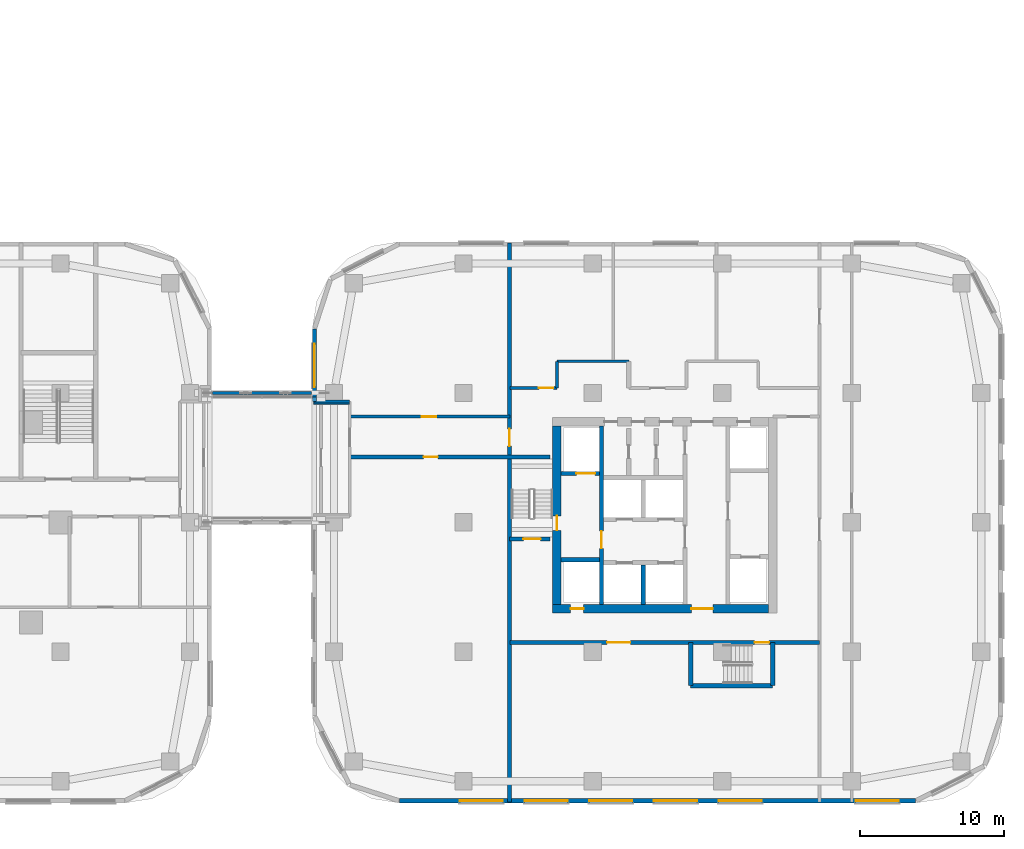
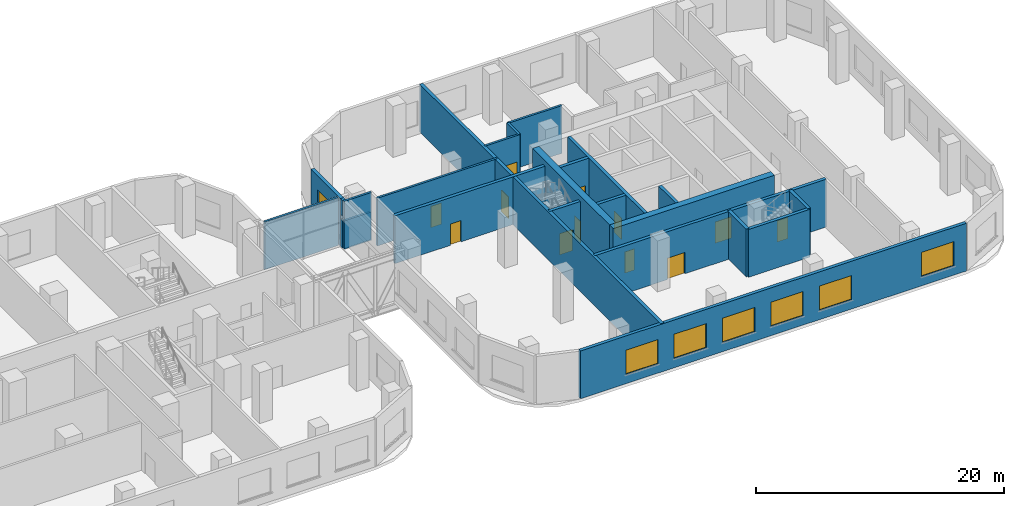
# One storey, part 12 of 35: 24 walls, 12 doors, 7 windows, 19 openings.
"""IFC4 building model written with IfcOpenShell, lengths in metres."""

from ifc_helpers import new_model, si_unit, direction, frame, frame_2d, origin, place, context, subcontext, project, spatial, rectangle, extrude, material, layer, layer_set, type_object, element, fill, save


model = new_model("IFC4")

# Units and contexts
model_context = context("Model", 3, precision=1e-05, world=origin(), true_north=direction((0.0, 1.0)))
body_context = subcontext(model_context, "Body", "Model", "MODEL_VIEW")
ifc_project = project(units=[si_unit("LENGTHUNIT", "METRE"), si_unit("AREAUNIT", "SQUARE_METRE"), si_unit("VOLUMEUNIT", "CUBIC_METRE"), si_unit("PLANEANGLEUNIT", "RADIAN"), si_unit("MASSUNIT", "GRAM", prefix="KILO")], contexts=[model_context])

# Site, building, storey
site_placement = place(None, origin())
site = spatial("IfcSite", under=ifc_project, at=site_placement, CompositionType="ELEMENT")
building_placement = place(site_placement, origin())
building = spatial("IfcBuilding", under=site, at=building_placement, Name="Ogive Portal Towers", CompositionType="ELEMENT")
storey_placement = place(building_placement, frame((0.0, 0.0, 18.5)))
storey = spatial("IfcBuildingStorey", under=building, at=storey_placement, Name="L03", CompositionType="ELEMENT", Elevation=18.5)

# Wall, opening, door
ifc_material_1 = material(Name="Concrete C60/75", Category="concrete")
ifc_layer_1 = layer(ifc_material_1, 0.300048828125)
ifc_layer_set_1 = layer_set([ifc_layer_1], Name="CORE WALL 300 C60")
wall_type_1 = type_object("IfcWallType", Name="CORE WALL 300 C60", PredefinedType="SHEAR", material=ifc_layer_set_1)
wall_1_placement = place(storey_placement, frame((132.10009765625, 24.800048828125, 0.0), z_axis=(0.0, 0.0, 1.0), x_axis=(0.0, 1.0, 0.0)))
wall_1 = element("IfcWall", 1, at=wall_1_placement, inside=storey, type_object=wall_type_1, Name="Tower B core wall BX1 L03", PredefinedType="SHEAR", context=body_context, shape_type="SweptSolid", body=[
    extrude(rectangle(XDim=12.39990234375, YDim=0.300048828125, at=frame_2d((6.199951171875, 0.0))), origin(), (0.0, 0.0, 1.0), 5.0),
])
opening_1_placement = place(wall_1_placement, frame((3.89990234375, 0.0, 0.0)))
opening_1 = element("IfcOpeningElement", 2, at=opening_1_placement, cuts=wall_1, Name="Opening P03-053", PredefinedType="OPENING", context=body_context, shape_type="SweptSolid", body=[
    extrude(rectangle(XDim=1.199951171875, YDim=2.10009765625, at=frame_2d((0.60009765625, 1.050048828125))), frame((0.0, 0.16015625, 0.0), z_axis=(0.0, -1.0, 0.0), x_axis=(1.0, 0.0, 0.0)), (0.0, 0.0, 1.0), 0.320068359375),
])
ifc_material_2 = material(Name="Steel fire door", Category="steel")
door_type_1 = type_object("IfcDoorType", Name="DT-SWING-1200x2100-FD90S", OperationType="SINGLE_SWING_LEFT", PredefinedType="DOOR", material=ifc_material_2)
door_1_placement = place(opening_1_placement, origin())
door_1 = element("IfcDoor", 3, at=door_1_placement, inside=storey, type_object=door_type_1, Name="Door P03-053", OperationType="SINGLE_SWING_LEFT", OverallHeight=2.10009765625, OverallWidth=1.199951171875, PredefinedType="DOOR", context=body_context, shape_type="SweptSolid", body=[
    extrude(rectangle(XDim=1.199951171875, YDim=2.10009765625, at=frame_2d((0.60009765625, 1.050048828125))), frame((0.0, 0.02490234375, 0.0), z_axis=(0.0, -1.0, 0.0), x_axis=(1.0, 0.0, 0.0)), (0.0, 0.0, 1.0), 0.050048828125),
])
fill(opening_1, door_1)

# Walls
wall_2_placement = place(storey_placement, frame((135.0, 24.800048828125, 0.0), z_axis=(0.0, 0.0, 1.0), x_axis=(0.0, 1.0, 0.0)))
element("IfcWall", 4, at=wall_2_placement, inside=storey, type_object=wall_type_1, Name="Tower B core wall BX4 L03", PredefinedType="SHEAR", context=body_context, shape_type="SweptSolid", body=[
    extrude(rectangle(XDim=2.75, YDim=0.300048828125, at=frame_2d((1.375, 0.0))), origin(), (0.0, 0.0, 1.0), 5.0),
])
wall_3_placement = place(storey_placement, frame((129.300048828125, 27.89990234375, 0.0), z_axis=(0.0, 0.0, 1.0), x_axis=(1.0, 0.0, 0.0)))
element("IfcWall", 5, at=wall_3_placement, inside=storey, type_object=wall_type_1, Name="Tower B core wall BY4 L03", PredefinedType="SHEAR", context=body_context, shape_type="SweptSolid", body=[
    extrude(rectangle(XDim=2.64990234375, YDim=0.300048828125, at=frame_2d((1.324951171875, 0.0))), origin(), (0.0, 0.0, 1.0), 5.0),
])

# Wall, opening, door
wall_4_placement = place(storey_placement, frame((129.300048828125, 33.89990234375, 0.0), z_axis=(0.0, 0.0, 1.0), x_axis=(1.0, 0.0, 0.0)))
wall_4 = element("IfcWall", 6, at=wall_4_placement, inside=storey, type_object=wall_type_1, Name="Tower B core wall BY5 L03", PredefinedType="SHEAR", context=body_context, shape_type="SweptSolid", body=[
    extrude(rectangle(XDim=2.64990234375, YDim=0.300048828125, at=frame_2d((1.324951171875, 0.0))), origin(), (0.0, 0.0, 1.0), 5.0),
])
opening_2_placement = place(wall_4_placement, frame((1.050048828125, 0.0, 0.0)))
opening_2 = element("IfcOpeningElement", 7, at=opening_2_placement, cuts=wall_4, Name="Opening P03-064", PredefinedType="OPENING", context=body_context, shape_type="SweptSolid", body=[
    extrude(rectangle(XDim=1.300048828125, YDim=2.39990234375, at=frame_2d((0.64990234375, 1.199951171875))), frame((0.0, 0.16015625, 0.0), z_axis=(0.0, -1.0, 0.0), x_axis=(1.0, 0.0, 0.0)), (0.0, 0.0, 1.0), 0.320068359375),
])
ifc_material_3 = material(Name="Stainless steel", Category="steel")
door_type_2 = type_object("IfcDoorType", Name="DT-LD-1300x2400", OperationType="SLIDING_TO_LEFT", PredefinedType="DOOR", material=ifc_material_3)
door_2_placement = place(opening_2_placement, origin())
door_2 = element("IfcDoor", 8, at=door_2_placement, inside=storey, type_object=door_type_2, Name="Door P03-064", OperationType="SLIDING_TO_LEFT", OverallHeight=2.39990234375, OverallWidth=1.300048828125, PredefinedType="DOOR", context=body_context, shape_type="SweptSolid", body=[
    extrude(rectangle(XDim=1.300048828125, YDim=2.39990234375, at=frame_2d((0.64990234375, 1.199951171875))), frame((0.0, 0.02490234375, 0.0), z_axis=(0.0, -1.0, 0.0), x_axis=(1.0, 0.0, 0.0)), (0.0, 0.0, 1.0), 0.050048828125),
])
fill(opening_2, door_2)

ifc_layer_2 = layer(ifc_material_1, 0.60009765625)
ifc_layer_set_2 = layer_set([ifc_layer_2], Name="CORE WALL 600 C60")
wall_type_2 = type_object("IfcWallType", Name="CORE WALL 600 C60", PredefinedType="SHEAR", material=ifc_layer_set_2)
wall_5_placement = place(storey_placement, frame((129.0, 24.800048828125, 0.0), z_axis=(0.0, 0.0, 1.0), x_axis=(0.0, 1.0, 0.0)))
wall_5 = element("IfcWall", 9, at=wall_5_placement, inside=storey, type_object=wall_type_2, Name="Tower B core wall BW L03", PredefinedType="SHEAR", context=body_context, shape_type="SweptSolid", body=[
    extrude(rectangle(XDim=12.39990234375, YDim=0.60009765625, at=frame_2d((6.199951171875, 0.0))), origin(), (0.0, 0.0, 1.0), 5.0),
])
opening_3_placement = place(wall_5_placement, frame((5.14990234375, 0.0, 0.0)))
opening_3 = element("IfcOpeningElement", 10, at=opening_3_placement, cuts=wall_5, Name="Opening P03-055", PredefinedType="OPENING", context=body_context, shape_type="SweptSolid", body=[
    extrude(rectangle(XDim=1.0, YDim=2.10009765625, at=frame_2d((0.5, 1.050048828125))), frame((0.0, 0.31005859375, 0.0), z_axis=(0.0, -1.0, 0.0), x_axis=(1.0, 0.0, 0.0)), (0.0, 0.0, 1.0), 0.6201171875),
])
door_type_3 = type_object("IfcDoorType", Name="DT-SWING-1000x2100-FD90S", OperationType="SINGLE_SWING_LEFT", PredefinedType="DOOR", material=ifc_material_2)
door_3_placement = place(opening_3_placement, origin())
door_3 = element("IfcDoor", 11, at=door_3_placement, inside=storey, type_object=door_type_3, Name="Door P03-055", OperationType="SINGLE_SWING_RIGHT", OverallHeight=2.10009765625, OverallWidth=1.0, PredefinedType="DOOR", context=body_context, shape_type="SweptSolid", body=[
    extrude(rectangle(XDim=1.0, YDim=2.10009765625, at=frame_2d((0.5, 1.050048828125))), frame((0.0, 0.02490234375, 0.0), z_axis=(0.0, -1.0, 0.0), x_axis=(1.0, 0.0, 0.0)), (0.0, 0.0, 1.0), 0.050048828125),
])
fill(opening_3, door_3)

# Wall, openings, doors
wall_6_placement = place(storey_placement, frame((128.699951171875, 24.5, 0.0), z_axis=(0.0, 0.0, 1.0), x_axis=(1.0, 0.0, 0.0)))
wall_6 = element("IfcWall", 12, at=wall_6_placement, inside=storey, type_object=wall_type_2, Name="Tower B core wall BS L03", PredefinedType="SHEAR", context=body_context, shape_type="SweptSolid", body=[
    extrude(rectangle(XDim=15.0, YDim=0.60009765625, at=frame_2d((7.5, 0.0))), origin(), (0.0, 0.0, 1.0), 5.0),
])
opening_4_placement = place(wall_6_placement, frame((9.64990234375, 0.0, 0.0)))
opening_4 = element("IfcOpeningElement", 13, at=opening_4_placement, cuts=wall_6, Name="Opening P03-056", PredefinedType="OPENING", context=body_context, shape_type="SweptSolid", body=[
    extrude(rectangle(XDim=1.5, YDim=2.10009765625, at=frame_2d((0.75, 1.050048828125))), frame((0.0, 0.31005859375, 0.0), z_axis=(0.0, -1.0, 0.0), x_axis=(1.0, 0.0, 0.0)), (0.0, 0.0, 1.0), 0.6201171875),
])
opening_5_placement = place(wall_6_placement, frame((1.25, 0.0, 0.0)))
opening_5 = element("IfcOpeningElement", 14, at=opening_5_placement, cuts=wall_6, Name="Opening P03-058", PredefinedType="OPENING", context=body_context, shape_type="SweptSolid", body=[
    extrude(rectangle(XDim=0.89990234375, YDim=2.10009765625, at=frame_2d((0.449951171875, 1.050048828125))), frame((0.0, 0.31005859375, 0.0), z_axis=(0.0, -1.0, 0.0), x_axis=(1.0, 0.0, 0.0)), (0.0, 0.0, 1.0), 0.6201171875),
])
door_type_4 = type_object("IfcDoorType", Name="DT-SWING-1500x2100-FD90S", OperationType="SINGLE_SWING_LEFT", PredefinedType="DOOR", material=ifc_material_2)
door_4_placement = place(opening_4_placement, origin())
door_4 = element("IfcDoor", 15, at=door_4_placement, inside=storey, type_object=door_type_4, Name="Door P03-056", OperationType="SINGLE_SWING_LEFT", OverallHeight=2.10009765625, OverallWidth=1.5, PredefinedType="DOOR", context=body_context, shape_type="SweptSolid", body=[
    extrude(rectangle(XDim=1.5, YDim=2.10009765625, at=frame_2d((0.75, 1.050048828125))), frame((0.0, 0.02490234375, 0.0), z_axis=(0.0, -1.0, 0.0), x_axis=(1.0, 0.0, 0.0)), (0.0, 0.0, 1.0), 0.050048828125),
])
fill(opening_4, door_4)
door_type_5 = type_object("IfcDoorType", Name="DT-SWING-900x2100-FD90S", OperationType="SINGLE_SWING_LEFT", PredefinedType="DOOR", material=ifc_material_2)
door_5_placement = place(opening_5_placement, origin())
door_5 = element("IfcDoor", 16, at=door_5_placement, inside=storey, type_object=door_type_5, Name="Riser access door P03-058", OperationType="SINGLE_SWING_LEFT", OverallHeight=2.10009765625, OverallWidth=0.89990234375, PredefinedType="DOOR", context=body_context, shape_type="SweptSolid", body=[
    extrude(rectangle(XDim=0.89990234375, YDim=2.10009765625, at=frame_2d((0.449951171875, 1.050048828125))), frame((0.0, 0.02490234375, 0.0), z_axis=(0.0, -1.0, 0.0), x_axis=(1.0, 0.0, 0.0)), (0.0, 0.0, 1.0), 0.050048828125),
])
fill(opening_5, door_5)

# Wall, openings, windows
ifc_material_4 = material(Name="Limestone cladding on lightweight block wall", Category="masonry")
ifc_layer_3 = layer(ifc_material_4, 0.300048828125)
ifc_layer_set_3 = layer_set([ifc_layer_3], Name="EXTERNAL WALL 300 STONE")
wall_type_3 = type_object("IfcWallType", Name="EXTERNAL WALL 300 STONE", PredefinedType="SOLIDWALL", material=ifc_layer_set_3)
wall_7_placement = place(storey_placement, frame((118.047607421875, 11.14990234375, 0.0), z_axis=(0.0, 0.0, 1.0), x_axis=(1.0, 0.0, 0.0)))
wall_7 = element("IfcWall", 17, at=wall_7_placement, inside=storey, type_object=wall_type_3, Name="B:L03:f02:w0", PredefinedType="SOLIDWALL", context=body_context, shape_type="SweptSolid", body=[
    extrude(rectangle(XDim=35.88037109375, YDim=0.300048828125, at=frame_2d((17.940185546875, 0.0))), origin(), (0.0, 0.0, 1.0), 4.699951171875),
])
opening_6_placement = place(wall_7_placement, frame((4.202392578125, 0.0, 0.89990234375)))
opening_6 = element("IfcOpeningElement", 18, at=opening_6_placement, cuts=wall_7, Name="Opening WN3", PredefinedType="OPENING", context=body_context, shape_type="SweptSolid", body=[
    extrude(rectangle(XDim=3.0, YDim=2.39990234375, at=frame_2d((1.5, 1.199951171875))), frame((0.0, 0.16015625, 0.0), z_axis=(0.0, -1.0, 0.0), x_axis=(1.0, 0.0, 0.0)), (0.0, 0.0, 1.0), 0.320068359375),
])
opening_7_placement = place(wall_7_placement, frame((8.702392578125, 0.0, 0.89990234375)))
opening_7 = element("IfcOpeningElement", 19, at=opening_7_placement, cuts=wall_7, Name="Opening WN3", PredefinedType="OPENING", context=body_context, shape_type="SweptSolid", body=[
    extrude(rectangle(XDim=3.0, YDim=2.39990234375, at=frame_2d((1.5, 1.199951171875))), frame((0.0, 0.16015625, 0.0), z_axis=(0.0, -1.0, 0.0), x_axis=(1.0, 0.0, 0.0)), (0.0, 0.0, 1.0), 0.320068359375),
])
opening_8_placement = place(wall_7_placement, frame((13.202392578125, 0.0, 0.89990234375)))
opening_8 = element("IfcOpeningElement", 20, at=opening_8_placement, cuts=wall_7, Name="Opening WN3", PredefinedType="OPENING", context=body_context, shape_type="SweptSolid", body=[
    extrude(rectangle(XDim=3.0, YDim=2.39990234375, at=frame_2d((1.5, 1.199951171875))), frame((0.0, 0.16015625, 0.0), z_axis=(0.0, -1.0, 0.0), x_axis=(1.0, 0.0, 0.0)), (0.0, 0.0, 1.0), 0.320068359375),
])
opening_9_placement = place(wall_7_placement, frame((17.702392578125, 0.0, 0.89990234375)))
opening_9 = element("IfcOpeningElement", 21, at=opening_9_placement, cuts=wall_7, Name="Opening WN3", PredefinedType="OPENING", context=body_context, shape_type="SweptSolid", body=[
    extrude(rectangle(XDim=3.0, YDim=2.39990234375, at=frame_2d((1.5, 1.199951171875))), frame((0.0, 0.16015625, 0.0), z_axis=(0.0, -1.0, 0.0), x_axis=(1.0, 0.0, 0.0)), (0.0, 0.0, 1.0), 0.320068359375),
])
opening_10_placement = place(wall_7_placement, frame((22.202392578125, 0.0, 0.89990234375)))
opening_10 = element("IfcOpeningElement", 22, at=opening_10_placement, cuts=wall_7, Name="Opening WN3", PredefinedType="OPENING", context=body_context, shape_type="SweptSolid", body=[
    extrude(rectangle(XDim=3.0, YDim=2.39990234375, at=frame_2d((1.5, 1.199951171875))), frame((0.0, 0.16015625, 0.0), z_axis=(0.0, -1.0, 0.0), x_axis=(1.0, 0.0, 0.0)), (0.0, 0.0, 1.0), 0.320068359375),
])
opening_11_placement = place(wall_7_placement, frame((31.726318359375, 0.0, 0.89990234375)))
opening_11 = element("IfcOpeningElement", 23, at=opening_11_placement, cuts=wall_7, Name="Opening WN3", PredefinedType="OPENING", context=body_context, shape_type="SweptSolid", body=[
    extrude(rectangle(XDim=3.0, YDim=2.39990234375, at=frame_2d((1.5, 1.199951171875))), frame((0.0, 0.16015625, 0.0), z_axis=(0.0, -1.0, 0.0), x_axis=(1.0, 0.0, 0.0)), (0.0, 0.0, 1.0), 0.320068359375),
])
ifc_material_5 = material(Name="Glass, clear low-iron insulated glazing", Category="glass")
window_type = type_object("IfcWindowType", Name="WINDOW PODIUM 3000x2400", PartitioningType="SINGLE_PANEL", PredefinedType="WINDOW", material=ifc_material_5)
window_1_placement = place(opening_6_placement, origin())
window_1 = element("IfcWindow", 24, at=window_1_placement, inside=storey, type_object=window_type, Name="B:L03:f02:w0:o1a", OverallHeight=2.39990234375, OverallWidth=3.0, PartitioningType="SINGLE_PANEL", PredefinedType="WINDOW", context=body_context, shape_type="SweptSolid", body=[
    extrude(rectangle(XDim=3.0, YDim=2.39990234375, at=frame_2d((1.5, 1.199951171875))), frame((0.0, 0.030029296875, 0.0), z_axis=(0.0, -1.0, 0.0), x_axis=(1.0, 0.0, 0.0)), (0.0, 0.0, 1.0), 0.06005859375),
])
fill(opening_6, window_1)
window_2_placement = place(opening_7_placement, origin())
window_2 = element("IfcWindow", 25, at=window_2_placement, inside=storey, type_object=window_type, Name="B:L03:f02:w0:o1b", OverallHeight=2.39990234375, OverallWidth=3.0, PartitioningType="SINGLE_PANEL", PredefinedType="WINDOW", context=body_context, shape_type="SweptSolid", body=[
    extrude(rectangle(XDim=3.0, YDim=2.39990234375, at=frame_2d((1.5, 1.199951171875))), frame((0.0, 0.030029296875, 0.0), z_axis=(0.0, -1.0, 0.0), x_axis=(1.0, 0.0, 0.0)), (0.0, 0.0, 1.0), 0.06005859375),
])
fill(opening_7, window_2)
window_3_placement = place(opening_8_placement, origin())
window_3 = element("IfcWindow", 26, at=window_3_placement, inside=storey, type_object=window_type, Name="B:L03:f02:w0:o2a", OverallHeight=2.39990234375, OverallWidth=3.0, PartitioningType="SINGLE_PANEL", PredefinedType="WINDOW", context=body_context, shape_type="SweptSolid", body=[
    extrude(rectangle(XDim=3.0, YDim=2.39990234375, at=frame_2d((1.5, 1.199951171875))), frame((0.0, 0.030029296875, 0.0), z_axis=(0.0, -1.0, 0.0), x_axis=(1.0, 0.0, 0.0)), (0.0, 0.0, 1.0), 0.06005859375),
])
fill(opening_8, window_3)
window_4_placement = place(opening_9_placement, origin())
window_4 = element("IfcWindow", 27, at=window_4_placement, inside=storey, type_object=window_type, Name="B:L03:f02:w0:o2b", OverallHeight=2.39990234375, OverallWidth=3.0, PartitioningType="SINGLE_PANEL", PredefinedType="WINDOW", context=body_context, shape_type="SweptSolid", body=[
    extrude(rectangle(XDim=3.0, YDim=2.39990234375, at=frame_2d((1.5, 1.199951171875))), frame((0.0, 0.030029296875, 0.0), z_axis=(0.0, -1.0, 0.0), x_axis=(1.0, 0.0, 0.0)), (0.0, 0.0, 1.0), 0.06005859375),
])
fill(opening_9, window_4)
window_5_placement = place(opening_10_placement, origin())
window_5 = element("IfcWindow", 28, at=window_5_placement, inside=storey, type_object=window_type, Name="B:L03:f02:w0:o3a", OverallHeight=2.39990234375, OverallWidth=3.0, PartitioningType="SINGLE_PANEL", PredefinedType="WINDOW", context=body_context, shape_type="SweptSolid", body=[
    extrude(rectangle(XDim=3.0, YDim=2.39990234375, at=frame_2d((1.5, 1.199951171875))), frame((0.0, 0.030029296875, 0.0), z_axis=(0.0, -1.0, 0.0), x_axis=(1.0, 0.0, 0.0)), (0.0, 0.0, 1.0), 0.06005859375),
])
fill(opening_10, window_5)
window_6_placement = place(opening_11_placement, origin())
window_6 = element("IfcWindow", 29, at=window_6_placement, inside=storey, type_object=window_type, Name="B:L03:f02:w0:o4", OverallHeight=2.39990234375, OverallWidth=3.0, PartitioningType="SINGLE_PANEL", PredefinedType="WINDOW", context=body_context, shape_type="SweptSolid", body=[
    extrude(rectangle(XDim=3.0, YDim=2.39990234375, at=frame_2d((1.5, 1.199951171875))), frame((0.0, 0.030029296875, 0.0), z_axis=(0.0, -1.0, 0.0), x_axis=(1.0, 0.0, 0.0)), (0.0, 0.0, 1.0), 0.06005859375),
])
fill(opening_11, window_6)

# Wall, opening, window
wall_8_placement = place(storey_placement, frame((112.14990234375, 43.952392578125, 0.0), z_axis=(0.0, 0.0, 1.0), x_axis=(0.0, -1.0, 0.0)))
wall_8 = element("IfcWall", 30, at=wall_8_placement, inside=storey, type_object=wall_type_3, Name="B:L03:f11:w0", PredefinedType="SOLIDWALL", context=body_context, shape_type="SweptSolid", body=[
    extrude(rectangle(XDim=4.75244140625, YDim=0.300048828125, at=frame_2d((2.376220703125, 0.0))), origin(), (0.0, 0.0, 1.0), 4.699951171875),
])
opening_12_placement = place(wall_8_placement, frame((1.050048828125, 0.0, 0.89990234375)))
opening_12 = element("IfcOpeningElement", 31, at=opening_12_placement, cuts=wall_8, Name="Opening WN3", PredefinedType="OPENING", context=body_context, shape_type="SweptSolid", body=[
    extrude(rectangle(XDim=3.0, YDim=2.39990234375, at=frame_2d((1.5, 1.199951171875))), frame((0.0, 0.16015625, 0.0), z_axis=(0.0, -1.0, 0.0), x_axis=(1.0, 0.0, 0.0)), (0.0, 0.0, 1.0), 0.320068359375),
])
window_7_placement = place(opening_12_placement, origin())
window_7 = element("IfcWindow", 32, at=window_7_placement, inside=storey, type_object=window_type, Name="B:L03:f11:w0:o0", OverallHeight=2.39990234375, OverallWidth=3.0, PartitioningType="SINGLE_PANEL", PredefinedType="WINDOW", context=body_context, shape_type="SweptSolid", body=[
    extrude(rectangle(XDim=3.0, YDim=2.39990234375, at=frame_2d((1.5, 1.199951171875))), frame((0.0, 0.030029296875, 0.0), z_axis=(0.0, -1.0, 0.0), x_axis=(1.0, 0.0, 0.0)), (0.0, 0.0, 1.0), 0.06005859375),
])
fill(opening_12, window_7)

# Walls
wall_9_placement = place(storey_placement, frame((112.14990234375, 39.199951171875, 0.0), z_axis=(0.0, 0.0, 1.0), x_axis=(0.0, -1.0, 0.0)))
element("IfcWall", 33, at=wall_9_placement, inside=storey, type_object=wall_type_3, Name="Pier return", PredefinedType="SOLIDWALL", context=body_context, shape_type="SweptSolid", body=[
    extrude(rectangle(XDim=0.300048828125, YDim=0.300048828125, at=frame_2d((0.14990234375, 0.0))), origin(), (0.0, 0.0, 1.0), 2.699951171875),
])
wall_10_placement = place(storey_placement, frame((112.14990234375, 39.199951171875, 3.14990234375), z_axis=(0.0, 0.0, 1.0), x_axis=(0.0, -1.0, 0.0)))
element("IfcWall", 34, at=wall_10_placement, inside=storey, type_object=wall_type_3, Name="Pier return", PredefinedType="SOLIDWALL", context=body_context, shape_type="SweptSolid", body=[
    extrude(rectangle(XDim=0.300048828125, YDim=0.300048828125, at=frame_2d((0.14990234375, 0.0))), origin(), (0.0, 0.0, 1.0), 1.550048828125),
])
ifc_material_6 = material(Name="Concrete C50/60", Category="concrete")
ifc_layer_4 = layer(ifc_material_6, 0.300048828125)
ifc_layer_set_4 = layer_set([ifc_layer_4], Name="STAIR WALL 300 C50")
wall_type_4 = type_object("IfcWallType", Name="STAIR WALL 300 C50", PredefinedType="SHEAR", material=ifc_layer_set_4)
wall_11_placement = place(storey_placement, frame((138.300048828125, 19.14990234375, 0.0), z_axis=(0.0, 0.0, 1.0), x_axis=(1.0, 0.0, 0.0)))
element("IfcWall", 35, at=wall_11_placement, inside=storey, type_object=wall_type_4, Name="Stair wall ST-B2 L03", PredefinedType="SHEAR", context=body_context, shape_type="SweptSolid", body=[
    extrude(rectangle(XDim=5.699951171875, YDim=0.300048828125, at=frame_2d((2.85009765625, 0.0))), origin(), (0.0, 0.0, 1.0), 4.699951171875),
])

# Wall, openings, doors
wall_12_placement = place(storey_placement, frame((125.75, 22.14990234375, 0.0), z_axis=(0.0, 0.0, 1.0), x_axis=(1.0, 0.0, 0.0)))
wall_12 = element("IfcWall", 36, at=wall_12_placement, inside=storey, type_object=wall_type_4, Name="Stair wall ST-B2 L03", PredefinedType="SHEAR", context=body_context, shape_type="SweptSolid", body=[
    extrude(rectangle(XDim=21.5, YDim=0.300048828125, at=frame_2d((10.75, 0.0))), origin(), (0.0, 0.0, 1.0), 4.699951171875),
])
opening_13_placement = place(wall_12_placement, frame((17.0, 0.0, 0.0)))
opening_13 = element("IfcOpeningElement", 37, at=opening_13_placement, cuts=wall_12, Name="Opening P03-037", PredefinedType="OPENING", context=body_context, shape_type="SweptSolid", body=[
    extrude(rectangle(XDim=1.0, YDim=2.10009765625, at=frame_2d((0.5, 1.050048828125))), frame((0.0, 0.16015625, 0.0), z_axis=(0.0, -1.0, 0.0), x_axis=(1.0, 0.0, 0.0)), (0.0, 0.0, 1.0), 0.320068359375),
])
opening_14_placement = place(wall_12_placement, frame((6.75, 0.0, 0.0)))
opening_14 = element("IfcOpeningElement", 38, at=opening_14_placement, cuts=wall_12, Name="Opening P03-046", PredefinedType="OPENING", context=body_context, shape_type="SweptSolid", body=[
    extrude(rectangle(XDim=1.60009765625, YDim=2.10009765625, at=frame_2d((0.800048828125, 1.050048828125))), frame((0.0, 0.16015625, 0.0), z_axis=(0.0, -1.0, 0.0), x_axis=(1.0, 0.0, 0.0)), (0.0, 0.0, 1.0), 0.320068359375),
])
door_6_placement = place(opening_13_placement, origin())
door_6 = element("IfcDoor", 39, at=door_6_placement, inside=storey, type_object=door_type_3, Name="Door P03-037", OperationType="SINGLE_SWING_LEFT", OverallHeight=2.10009765625, OverallWidth=1.0, PredefinedType="DOOR", context=body_context, shape_type="SweptSolid", body=[
    extrude(rectangle(XDim=1.0, YDim=2.10009765625, at=frame_2d((0.5, 1.050048828125))), frame((0.0, 0.02490234375, 0.0), z_axis=(0.0, -1.0, 0.0), x_axis=(1.0, 0.0, 0.0)), (0.0, 0.0, 1.0), 0.050048828125),
])
fill(opening_13, door_6)
door_type_6 = type_object("IfcDoorType", Name="DT-SWING-1600x2100-FD90S", OperationType="SINGLE_SWING_LEFT", PredefinedType="DOOR", material=ifc_material_2)
door_7_placement = place(opening_14_placement, origin())
door_7 = element("IfcDoor", 40, at=door_7_placement, inside=storey, type_object=door_type_6, Name="Door P03-046", OperationType="SINGLE_SWING_RIGHT", OverallHeight=2.10009765625, OverallWidth=1.60009765625, PredefinedType="DOOR", context=body_context, shape_type="SweptSolid", body=[
    extrude(rectangle(XDim=1.60009765625, YDim=2.10009765625, at=frame_2d((0.800048828125, 1.050048828125))), frame((0.0, 0.02490234375, 0.0), z_axis=(0.0, -1.0, 0.0), x_axis=(1.0, 0.0, 0.0)), (0.0, 0.0, 1.0), 0.050048828125),
])
fill(opening_14, door_7)

# Wall, opening, door
wall_13_placement = place(storey_placement, frame((125.699951171875, 29.35009765625, 0.0), z_axis=(0.0, 0.0, 1.0), x_axis=(1.0, 0.0, 0.0)))
wall_13 = element("IfcWall", 41, at=wall_13_placement, inside=storey, type_object=wall_type_4, Name="Stair wall ST-B1 L03", PredefinedType="SHEAR", context=body_context, shape_type="SweptSolid", body=[
    extrude(rectangle(XDim=2.830078125, YDim=0.300048828125, at=frame_2d((1.4150390625, 0.0))), origin(), (0.0, 0.0, 1.0), 4.699951171875),
])
opening_15_placement = place(wall_13_placement, frame((0.97509765625, 0.0, 0.0)))
opening_15 = element("IfcOpeningElement", 42, at=opening_15_placement, cuts=wall_13, Name="Opening P03-036", PredefinedType="OPENING", context=body_context, shape_type="SweptSolid", body=[
    extrude(rectangle(XDim=1.199951171875, YDim=2.10009765625, at=frame_2d((0.60009765625, 1.050048828125))), frame((0.0, 0.16015625, 0.0), z_axis=(0.0, -1.0, 0.0), x_axis=(1.0, 0.0, 0.0)), (0.0, 0.0, 1.0), 0.320068359375),
])
door_8_placement = place(opening_15_placement, origin())
door_8 = element("IfcDoor", 43, at=door_8_placement, inside=storey, type_object=door_type_1, Name="Door P03-036", OperationType="SINGLE_SWING_RIGHT", OverallHeight=2.10009765625, OverallWidth=1.199951171875, PredefinedType="DOOR", context=body_context, shape_type="SweptSolid", body=[
    extrude(rectangle(XDim=1.199951171875, YDim=2.10009765625, at=frame_2d((0.60009765625, 1.050048828125))), frame((0.0, 0.02490234375, 0.0), z_axis=(0.0, -1.0, 0.0), x_axis=(1.0, 0.0, 0.0)), (0.0, 0.0, 1.0), 0.050048828125),
])
fill(opening_15, door_8)

wall_14_placement = place(storey_placement, frame((114.60009765625, 35.050048828125, 0.0), z_axis=(0.0, 0.0, 1.0), x_axis=(1.0, 0.0, 0.0)))
wall_14 = element("IfcWall", 44, at=wall_14_placement, inside=storey, type_object=wall_type_4, Name="Stair wall ST-B1 L03", PredefinedType="SHEAR", context=body_context, shape_type="SweptSolid", body=[
    extrude(rectangle(XDim=13.929931640625, YDim=0.300048828125, at=frame_2d((6.96484375, 0.0))), origin(), (0.0, 0.0, 1.0), 4.699951171875),
])
opening_16_placement = place(wall_14_placement, frame((5.1298828125, 0.0, 0.0)))
opening_16 = element("IfcOpeningElement", 45, at=opening_16_placement, cuts=wall_14, Name="Opening P03-043", PredefinedType="OPENING", context=body_context, shape_type="SweptSolid", body=[
    extrude(rectangle(XDim=1.0, YDim=2.10009765625, at=frame_2d((0.5, 1.050048828125))), frame((0.0, 0.16015625, 0.0), z_axis=(0.0, -1.0, 0.0), x_axis=(1.0, 0.0, 0.0)), (0.0, 0.0, 1.0), 0.320068359375),
])
door_9_placement = place(opening_16_placement, origin())
door_9 = element("IfcDoor", 46, at=door_9_placement, inside=storey, type_object=door_type_3, Name="Door P03-043", OperationType="SINGLE_SWING_LEFT", OverallHeight=2.10009765625, OverallWidth=1.0, PredefinedType="DOOR", context=body_context, shape_type="SweptSolid", body=[
    extrude(rectangle(XDim=1.0, YDim=2.10009765625, at=frame_2d((0.5, 1.050048828125))), frame((0.0, 0.02490234375, 0.0), z_axis=(0.0, -1.0, 0.0), x_axis=(1.0, 0.0, 0.0)), (0.0, 0.0, 1.0), 0.050048828125),
])
fill(opening_16, door_9)

wall_15_placement = place(storey_placement, frame((125.699951171875, 11.070068359375, 0.0), z_axis=(0.0, 0.0, 1.0), x_axis=(0.0, 1.0, 0.0)))
wall_15 = element("IfcWall", 47, at=wall_15_placement, inside=storey, type_object=wall_type_4, Name="Stair wall ST-B1 L03", PredefinedType="SHEAR", context=body_context, shape_type="SweptSolid", body=[
    extrude(rectangle(XDim=38.85986328125, YDim=0.300048828125, at=frame_2d((19.429931640625, 0.0))), origin(), (0.0, 0.0, 1.0), 4.699951171875),
])
opening_17_placement = place(wall_15_placement, frame((24.72998046875, 0.0, 0.0)))
opening_17 = element("IfcOpeningElement", 48, at=opening_17_placement, cuts=wall_15, Name="Opening P03-041", PredefinedType="OPENING", context=body_context, shape_type="SweptSolid", body=[
    extrude(rectangle(XDim=1.199951171875, YDim=2.10009765625, at=frame_2d((0.60009765625, 1.050048828125))), frame((0.0, 0.16015625, 0.0), z_axis=(0.0, -1.0, 0.0), x_axis=(1.0, 0.0, 0.0)), (0.0, 0.0, 1.0), 0.320068359375),
])
door_10_placement = place(opening_17_placement, origin())
door_10 = element("IfcDoor", 49, at=door_10_placement, inside=storey, type_object=door_type_1, Name="Door P03-041", OperationType="SINGLE_SWING_LEFT", OverallHeight=2.10009765625, OverallWidth=1.199951171875, PredefinedType="DOOR", context=body_context, shape_type="SweptSolid", body=[
    extrude(rectangle(XDim=1.199951171875, YDim=2.10009765625, at=frame_2d((0.60009765625, 1.050048828125))), frame((0.0, 0.02490234375, 0.0), z_axis=(0.0, -1.0, 0.0), x_axis=(1.0, 0.0, 0.0)), (0.0, 0.0, 1.0), 0.050048828125),
])
fill(opening_17, door_10)

# Walls
for number, where, z_axis, x_axis, name in (
    (50, (138.300048828125, 19.14990234375, 0.0), (0.0, 0.0, 1.0), (0.0, 1.0, 0.0), "Stair wall ST-B2 L03"),
    (51, (144.0, 19.14990234375, 0.0), (0.0, 0.0, 1.0), (0.0, 1.0, 0.0), "Stair wall ST-B2 L03"),
):
    element("IfcWall", number, at=place(storey_placement, frame(where, z_axis=z_axis, x_axis=x_axis)), inside=storey, type_object=wall_type_4, Name=name, PredefinedType="SHEAR", context=body_context, shape_type="SweptSolid", body=[
        extrude(rectangle(XDim=3.0, YDim=0.300048828125, at=frame_2d((1.5, 0.0))), origin(), (0.0, 0.0, 1.0), 4.699951171875),
    ])

# Wall, opening, door
ifc_material_7 = material(Name="Gypsum board partition on steel studs", Category="steel")
ifc_layer_5 = layer(ifc_material_7, 0.199951171875)
ifc_layer_set_5 = layer_set([ifc_layer_5], Name="WT-PART-200-EI 60")
wall_type_5 = type_object("IfcWallType", Name="WT-PART-200-EI 60", PredefinedType="PARTITIONING", material=ifc_layer_set_5)
wall_16_placement = place(storey_placement, frame((114.60009765625, 37.85009765625, 0.0), z_axis=(0.0, 0.0, 1.0), x_axis=(1.0, 0.0, 0.0)))
wall_16 = element("IfcWall", 52, at=wall_16_placement, inside=storey, type_object=wall_type_5, Name="Wall L03:w023", PredefinedType="PARTITIONING", context=body_context, shape_type="SweptSolid", body=[
    extrude(rectangle(XDim=11.14990234375, YDim=0.199951171875, at=frame_2d((5.574951171875, 0.0))), origin(), (0.0, 0.0, 1.0), 4.699951171875),
])
opening_18_placement = place(wall_16_placement, frame((5.0048828125, 0.0, 0.0)))
opening_18 = element("IfcOpeningElement", 53, at=opening_18_placement, cuts=wall_16, Name="Opening P03-044", PredefinedType="OPENING", context=body_context, shape_type="SweptSolid", body=[
    extrude(rectangle(XDim=1.0, YDim=2.10009765625, at=frame_2d((0.5, 1.050048828125))), frame((0.0, 0.10986328125, 0.0), z_axis=(0.0, -1.0, 0.0), x_axis=(1.0, 0.0, 0.0)), (0.0, 0.0, 1.0), 0.219970703125),
])
door_type_7 = type_object("IfcDoorType", Name="DT-SWING-1000x2100-FD60S", OperationType="SINGLE_SWING_LEFT", PredefinedType="DOOR", material=ifc_material_2)
door_11_placement = place(opening_18_placement, origin())
door_11 = element("IfcDoor", 54, at=door_11_placement, inside=storey, type_object=door_type_7, Name="Door P03-044", OperationType="SINGLE_SWING_RIGHT", OverallHeight=2.10009765625, OverallWidth=1.0, PredefinedType="DOOR", context=body_context, shape_type="SweptSolid", body=[
    extrude(rectangle(XDim=1.0, YDim=2.10009765625, at=frame_2d((0.5, 1.050048828125))), frame((0.0, 0.02490234375, 0.0), z_axis=(0.0, -1.0, 0.0), x_axis=(1.0, 0.0, 0.0)), (0.0, 0.0, 1.0), 0.050048828125),
])
fill(opening_18, door_11)

# Walls
wall_17_placement = place(storey_placement, frame((112.070068359375, 38.800048828125, 0.0), z_axis=(0.0, 0.0, 1.0), x_axis=(1.0, 0.0, 0.0)))
element("IfcWall", 55, at=wall_17_placement, inside=storey, type_object=wall_type_5, Name="Wall L03:w026", PredefinedType="PARTITIONING", context=body_context, shape_type="SweptSolid", body=[
    extrude(rectangle(XDim=2.530029296875, YDim=0.199951171875, at=frame_2d((1.26513671875, 0.0))), origin(), (0.0, 0.0, 1.0), 4.699951171875),
])
wall_18_placement = place(storey_placement, frame((112.10009765625, 38.89990234375, 0.0), z_axis=(0.0, 0.0, 1.0), x_axis=(1.0, 0.0, 0.0)))
element("IfcWall", 56, at=wall_18_placement, inside=storey, type_object=wall_type_5, Name="Wall L03:w028", PredefinedType="PARTITIONING", context=body_context, shape_type="SweptSolid", body=[
    extrude(rectangle(XDim=2.5, YDim=0.199951171875, at=frame_2d((1.25, 0.0))), origin(), (0.0, 0.0, 1.0), 2.699951171875),
])
wall_19_placement = place(storey_placement, frame((105.070068359375, 39.5, 0.0), z_axis=(0.0, 0.0, 1.0), x_axis=(1.0, 0.0, 0.0)))
element("IfcWall", 57, at=wall_19_placement, inside=storey, type_object=wall_type_5, Name="Wall L03:w029", PredefinedType="PARTITIONING", context=body_context, shape_type="SweptSolid", body=[
    extrude(rectangle(XDim=6.85986328125, YDim=0.199951171875, at=frame_2d((3.429931640625, 0.0))), origin(), (0.0, 0.0, 1.0), 4.699951171875),
])

# Wall, opening, door
wall_20_placement = place(storey_placement, frame((125.75, 39.85009765625, 0.0), z_axis=(0.0, 0.0, 1.0), x_axis=(1.0, 0.0, 0.0)))
wall_20 = element("IfcWall", 58, at=wall_20_placement, inside=storey, type_object=wall_type_5, Name="Wall L03:w032", PredefinedType="PARTITIONING", context=body_context, shape_type="SweptSolid", body=[
    extrude(rectangle(XDim=3.25, YDim=0.199951171875, at=frame_2d((1.625, 0.0))), origin(), (0.0, 0.0, 1.0), 4.699951171875),
])
opening_19_placement = place(wall_20_placement, frame((2.001953125, 0.0, 0.0)))
opening_19 = element("IfcOpeningElement", 59, at=opening_19_placement, cuts=wall_20, Name="Opening P03-047", PredefinedType="OPENING", context=body_context, shape_type="SweptSolid", body=[
    extrude(rectangle(XDim=1.0, YDim=2.10009765625, at=frame_2d((0.5, 1.050048828125))), frame((0.0, 0.10986328125, 0.0), z_axis=(0.0, -1.0, 0.0), x_axis=(1.0, 0.0, 0.0)), (0.0, 0.0, 1.0), 0.219970703125),
])
door_12_placement = place(opening_19_placement, origin())
door_12 = element("IfcDoor", 60, at=door_12_placement, inside=storey, type_object=door_type_7, Name="Door P03-047", OperationType="SINGLE_SWING_LEFT", OverallHeight=2.10009765625, OverallWidth=1.0, PredefinedType="DOOR", context=body_context, shape_type="SweptSolid", body=[
    extrude(rectangle(XDim=1.0, YDim=2.10009765625, at=frame_2d((0.5, 1.050048828125))), frame((0.0, 0.02490234375, 0.0), z_axis=(0.0, -1.0, 0.0), x_axis=(1.0, 0.0, 0.0)), (0.0, 0.0, 1.0), 0.050048828125),
])
fill(opening_19, door_12)

# Walls
wall_21_placement = place(storey_placement, frame((129.0, 41.699951171875, 0.0), z_axis=(0.0, 0.0, 1.0), x_axis=(1.0, 0.0, 0.0)))
element("IfcWall", 61, at=wall_21_placement, inside=storey, type_object=wall_type_5, Name="Wall L03:w036", PredefinedType="PARTITIONING", context=body_context, shape_type="SweptSolid", body=[
    extrude(rectangle(XDim=5.0, YDim=0.199951171875, at=frame_2d((2.5, 0.0))), origin(), (0.0, 0.0, 1.0), 4.699951171875),
])
wall_22_placement = place(storey_placement, frame((129.0, 39.85009765625, 0.0), z_axis=(0.0, 0.0, 1.0), x_axis=(0.0, 1.0, 0.0)))
element("IfcWall", 62, at=wall_22_placement, inside=storey, type_object=wall_type_5, Name="Wall L03:w067", PredefinedType="PARTITIONING", context=body_context, shape_type="SweptSolid", body=[
    extrude(rectangle(XDim=1.849853515625, YDim=0.199951171875, at=frame_2d((0.9248046875, 0.0))), origin(), (0.0, 0.0, 1.0), 4.699951171875),
])

save(model, "model.ifc")
